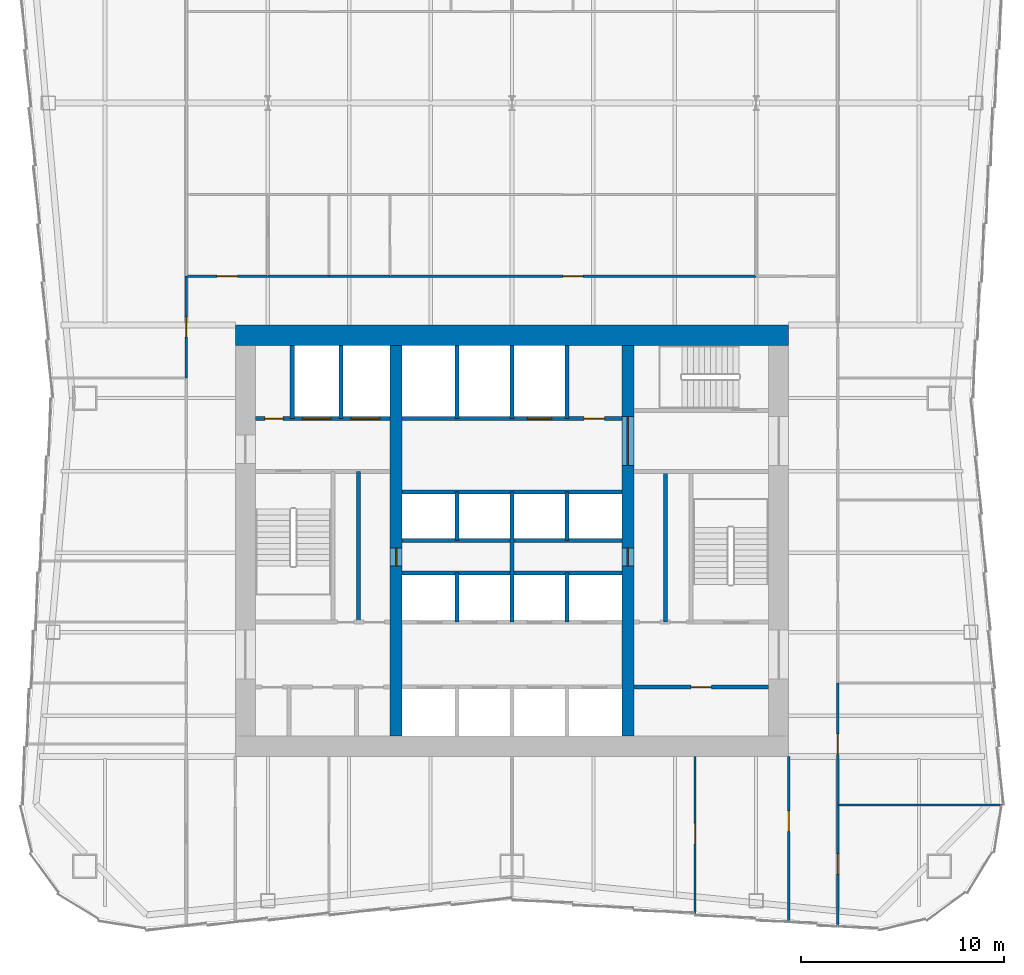
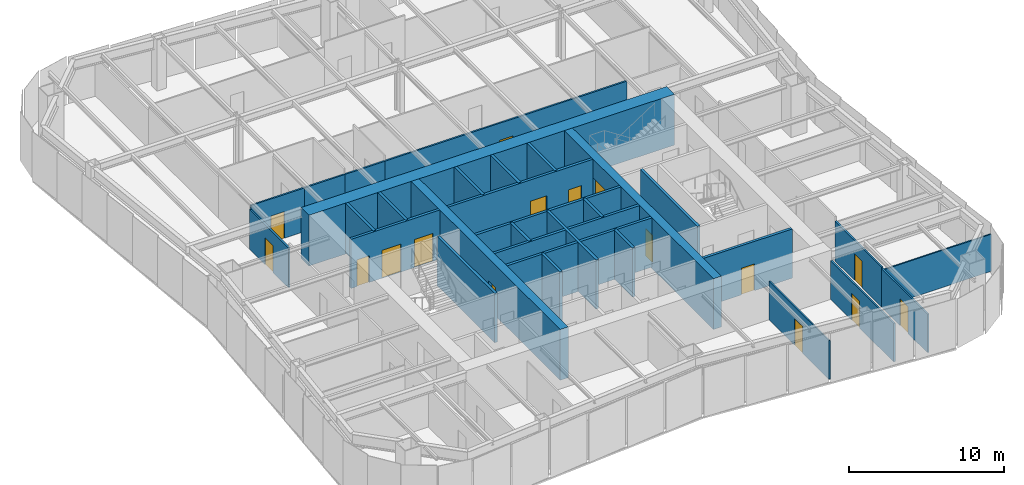
# One storey, part 5 of 8: 31 walls, 16 doors, 16 openings.
"""IFC4 building model written with IfcOpenShell, lengths in metres."""

import ifcopenshell
import ifcopenshell.guid

model = None  # the IFC model being written
_history = None  # IfcOwnerHistory: only IFC2X3 demands one
_inside = {}  # id of a spatial element -> (the spatial element, [elements in it])
_under = {}  # id of a project, library or spatial element -> (it, [spatial elements below it])
_declared = {}  # id of a project -> (the project, [libraries it declares])
_typed = {}  # id of a type object -> (the type object, [elements of that type])
_made_of = {}  # id of a material, layer set ... -> (it, [elements and type objects made of it])


def new_model(schema):
    """Start an empty IFC model of exactly this schema.

    Asked for "IFC4X3", IfcOpenShell would pick the latest addendum, in which some entities
    have other attributes; the version numbers below select the first issue.
    IFC2X3 requires an IfcOwnerHistory on every rooted entity: one is made here for all.
    """
    global model, _history
    if schema == "IFC4X3":
        model = ifcopenshell.file(schema_version=(4, 3, 0, 0))
    else:
        model = ifcopenshell.file(schema=schema)
    _inside.clear()
    _under.clear()
    _declared.clear()
    _typed.clear()
    _made_of.clear()
    _history = None
    if model.schema == "IFC2X3":
        org = make("IfcOrganization", Name="unknown")
        user = make(
            "IfcPersonAndOrganization",
            ThePerson=make("IfcPerson", FamilyName="unknown"),
            TheOrganization=org,
        )
        app = make(
            "IfcApplication",
            ApplicationDeveloper=org,
            Version="unknown",
            ApplicationFullName="unknown",
            ApplicationIdentifier="unknown",
        )
        _history = make(
            "IfcOwnerHistory",
            OwningUser=user,
            OwningApplication=app,
            ChangeAction="ADDED",
            CreationDate=0,
        )
    return model


def make(cls, **values):
    """One entity of the class cls with the attributes given. An attribute that is None is left unset."""
    return model.create_entity(
        cls, **{name: value for name, value in values.items() if value is not None}
    )


def rooted(cls, **values):
    """An entity with a GlobalId (a new one), such as an element, a storey or a relation."""
    return make(cls, GlobalId=ifcopenshell.guid.new(), OwnerHistory=_history, **values)


def si_unit(unit_type, name, prefix=None):
    """IfcSIUnit, for example si_unit("LENGTHUNIT", "METRE", prefix="MILLI")."""
    return make("IfcSIUnit", UnitType=unit_type, Prefix=prefix, Name=name)


def assignment(units):
    """IfcUnitAssignment: the units of a project."""
    return None if units is None else make("IfcUnitAssignment", Units=units)


def point(xyz):
    """IfcCartesianPoint."""
    return None if xyz is None else make("IfcCartesianPoint", Coordinates=xyz)


def direction(xyz):
    """IfcDirection."""
    return None if xyz is None else make("IfcDirection", DirectionRatios=xyz)


def frame(location, z_axis=None, x_axis=None):
    """IfcAxis2Placement3D, a coordinate frame: its origin and axes. An axis left out is left unset."""
    return make(
        "IfcAxis2Placement3D",
        Location=point(location),
        Axis=direction(z_axis),
        RefDirection=direction(x_axis),
    )


def frame_2d(location, x_axis=None):
    """IfcAxis2Placement2D, a coordinate frame in the plane: its origin and x axis."""
    return make(
        "IfcAxis2Placement2D", Location=point(location), RefDirection=direction(x_axis)
    )


def origin():
    """The frame at (0, 0, 0) with its axes left unset."""
    return frame((0.0, 0.0, 0.0))


def place(relative_to, where):
    """IfcLocalPlacement: puts the frame where relative to a parent placement (None: the world)."""
    return make(
        "IfcLocalPlacement", PlacementRelTo=relative_to, RelativePlacement=where
    )


def context(
    kind, dimensions, precision=None, world=None, true_north=None, identifier=None
):
    """IfcGeometricRepresentationContext, for example the 3D "Model" context."""
    return make(
        "IfcGeometricRepresentationContext",
        ContextIdentifier=identifier,
        ContextType=kind,
        CoordinateSpaceDimension=dimensions,
        Precision=precision,
        WorldCoordinateSystem=world,
        TrueNorth=true_north,
    )


def subcontext(parent, identifier, kind, view, scale=None):
    """IfcGeometricRepresentationSubContext, for example "Body" below "Model"."""
    return make(
        "IfcGeometricRepresentationSubContext",
        ContextIdentifier=identifier,
        ContextType=kind,
        ParentContext=parent,
        TargetScale=scale,
        TargetView=view,
    )


def project(units=None, contexts=None):
    """IfcProject with its units and contexts."""
    return rooted(
        "IfcProject",
        Name="project",
        RepresentationContexts=contexts,
        UnitsInContext=assignment(units),
    )


def spatial(cls, under=None, at=None, **own):
    """A site, building, storey or space (cls), placed at a placement, below another one or the project."""
    s = rooted(cls, ObjectPlacement=at, **own)
    if under is not None:
        _under.setdefault(under.id(), (under, []))[1].append(s)
    return s


def profile(cls, at=None, kind="AREA", **sizes):
    """A parametric profile (cls). Its sizes go by their IFC names, for example OverallWidth=200.0."""
    return make(cls, ProfileType=kind, Position=at, **sizes)


def rectangle(**sizes):
    """IfcRectangleProfileDef."""
    return profile("IfcRectangleProfileDef", **sizes)


def extrude(swept, where, along, depth):
    """IfcExtrudedAreaSolid: the profile swept, set in the frame where, extruded along a direction by depth."""
    return make(
        "IfcExtrudedAreaSolid",
        SweptArea=swept,
        Position=where,
        ExtrudedDirection=direction(along),
        Depth=depth,
    )


def shape(context_of_items, identifier, shape_type, items):
    """IfcShapeRepresentation: the items that make up one representation, for example the "Body"."""
    return make(
        "IfcShapeRepresentation",
        ContextOfItems=context_of_items,
        RepresentationIdentifier=identifier,
        RepresentationType=shape_type,
        Items=items,
    )


def material(Name=None, Category=None):
    """IfcMaterial."""
    return make("IfcMaterial", Name=Name, Category=Category)


def layer(
    of_material, thickness, ventilated=None, Name=None, Category=None, Priority=None
):
    """IfcMaterialLayer: one layer of a wall or slab, of a material (None: an air gap)."""
    return make(
        "IfcMaterialLayer",
        Material=of_material,
        LayerThickness=thickness,
        IsVentilated=ventilated,
        Name=Name,
        Category=Category,
        Priority=Priority,
    )


def layer_set(layers, Name=None):
    """IfcMaterialLayerSet."""
    return make("IfcMaterialLayerSet", MaterialLayers=layers, LayerSetName=Name)


def made_of(thing, what):
    """Note that an element or type object is made of a material, layer set ...; save() writes the relation."""
    if what is not None:
        _made_of.setdefault(what.id(), (what, []))[1].append(thing)
    return thing


def type_object(cls, material=None, **own):
    """A type object (cls), such as IfcWallType, which elements share."""
    return made_of(rooted(cls, **own), material)


def element(
    cls,
    number,
    at=None,
    inside=None,
    cuts=None,
    type_object=None,
    material=None,
    context=None,
    identifier="Body",
    shape_type=None,
    held_by="IfcProductDefinitionShape",
    body=None,
    shapes=None,
    **own,
):
    """One element of the class cls, such as IfcWall. Its Tag is "e" and its number.

    at: its placement. inside: the storey or other place that contains it. cuts: it is an
    opening in that element (IfcRelVoidsElement). A single representation is given by context,
    identifier, shape_type and body (its items); several are given by shapes. held_by: the class
    of the entity that holds the representations. save() writes the other relations.
    """
    e = rooted(cls, Tag="e%d" % number, ObjectPlacement=at, **own)
    if body is not None:
        shapes = [shape(context, identifier, shape_type, body)]
    if shapes is not None:
        e.Representation = make(held_by, Representations=shapes)
    if inside is not None:
        _inside.setdefault(inside.id(), (inside, []))[1].append(e)
    if cuts is not None:
        rooted(
            "IfcRelVoidsElement", RelatingBuildingElement=cuts, RelatedOpeningElement=e
        )
    if type_object is not None:
        _typed.setdefault(type_object.id(), (type_object, []))[1].append(e)
    return made_of(e, material)


def fill(opening, filler):
    """IfcRelFillsElement: the door or window that sits in an opening."""
    return rooted(
        "IfcRelFillsElement",
        RelatingOpeningElement=opening,
        RelatedBuildingElement=filler,
    )


def aggregate(whole, parts):
    """IfcRelAggregates: a whole, such as a stair, and the parts it consists of."""
    return rooted("IfcRelAggregates", RelatingObject=whole, RelatedObjects=parts)


def save(model, path):
    """Write the relations noted so far, then the file.

    IfcRelAggregates (storeys below a building ...), IfcRelContainedInSpatialStructure (elements
    in a storey), IfcRelDefinesByType, IfcRelAssociatesMaterial and IfcRelDeclares: one each for
    every whole, place, type object, material and project.
    """
    for whole, parts in _under.values():
        aggregate(whole, parts)
    for where, things in _inside.values():
        rooted(
            "IfcRelContainedInSpatialStructure",
            RelatedElements=things,
            RelatingStructure=where,
        )
    for kind, things in _typed.values():
        rooted("IfcRelDefinesByType", RelatedObjects=things, RelatingType=kind)
    for what, things in _made_of.values():
        rooted("IfcRelAssociatesMaterial", RelatedObjects=things, RelatingMaterial=what)
    for by, libraries in _declared.values():
        rooted("IfcRelDeclares", RelatingContext=by, RelatedDefinitions=libraries)
    model.write(path)


model = new_model("IFC4")

# Units and contexts
model_context = context("Model", 3, precision=1e-05, world=origin(), true_north=direction((0.0, 1.0)))
body_context = subcontext(model_context, "Body", "Model", "MODEL_VIEW")
ifc_project = project(units=[si_unit("LENGTHUNIT", "METRE"), si_unit("AREAUNIT", "SQUARE_METRE"), si_unit("VOLUMEUNIT", "CUBIC_METRE"), si_unit("PLANEANGLEUNIT", "RADIAN"), si_unit("MASSUNIT", "GRAM", prefix="KILO")], contexts=[model_context])

# Site, building, storey
site_placement = place(None, origin())
site = spatial("IfcSite", under=ifc_project, at=site_placement, CompositionType="ELEMENT")
building_placement = place(site_placement, origin())
building = spatial("IfcBuilding", under=site, at=building_placement, Name="Verdant Reach Tower", CompositionType="ELEMENT")
storey_placement = place(building_placement, frame((0.0, 0.0, 134.0)))
storey = spatial("IfcBuildingStorey", under=building, at=storey_placement, Name="L30", CompositionType="ELEMENT", Elevation=134.0)

# Wall, opening, door
ifc_material_1 = material(Name="Gypsum board on steel studs", Category="steel")
ifc_layer_1 = layer(ifc_material_1, 0.199951171875)
ifc_layer_set_1 = layer_set([ifc_layer_1], Name="CO-WALL-ROOM")
wall_type_1 = type_object("IfcWallType", Name="CO-WALL-ROOM", PredefinedType="PARTITIONING", material=ifc_layer_set_1)
wall_1_placement = place(storey_placement, frame((6.0, 20.800048828125, 0.0), z_axis=(0.0, 0.0, 1.0), x_axis=(1.0, 0.0, 0.0)))
wall_1 = element("IfcWall", 1, at=wall_1_placement, inside=storey, type_object=wall_type_1, Name="Core partition, L30", PredefinedType="PARTITIONING", context=body_context, shape_type="SweptSolid", body=[
    extrude(rectangle(XDim=6.60009765625, YDim=0.199951171875, at=frame_2d((3.300048828125, 0.0))), origin(), (0.0, 0.0, 1.0), 3.8701171875),
])
opening_1_placement = place(wall_1_placement, frame((2.800048828125, 0.0, 0.0)))
opening_1 = element("IfcOpeningElement", 2, at=opening_1_placement, cuts=wall_1, Name="Opening CD", PredefinedType="OPENING", context=body_context, shape_type="SweptSolid", body=[
    extrude(rectangle(XDim=1.0, YDim=2.10009765625, at=frame_2d((0.5, 1.050048828125))), frame((0.0, 0.10986328125, 0.0), z_axis=(0.0, -1.0, 0.0), x_axis=(1.0, 0.0, 0.0)), (0.0, 0.0, 1.0), 0.219970703125),
])
ifc_material_2 = material(Name="Timber", Category="wood")
door_type_1 = type_object("IfcDoorType", Name="CO-DOOR-ROOM", OperationType="NOTDEFINED", PredefinedType="DOOR", material=ifc_material_2)
door_1_placement = place(opening_1_placement, origin())
door_1 = element("IfcDoor", 3, at=door_1_placement, inside=storey, type_object=door_type_1, Name="Core room door, L30", OperationType="SINGLE_SWING_RIGHT", OverallHeight=2.10009765625, OverallWidth=1.0, PredefinedType="DOOR", context=body_context, shape_type="SweptSolid", body=[
    extrude(rectangle(XDim=1.0, YDim=2.10009765625, at=frame_2d((0.5, 1.050048828125))), frame((0.0, 0.02490234375, 0.0), z_axis=(0.0, -1.0, 0.0), x_axis=(1.0, 0.0, 0.0)), (0.0, 0.0, 1.0), 0.050048828125),
])
fill(opening_1, door_1)

# Walls
for number, where, z_axis, x_axis, name in (
    (4, (-7.5400390625, 24.0, 0.0), (0.0, 0.0, 1.0), (0.0, 1.0, 0.0), "Core partition, L30"),
    (5, (7.5400390625, 24.0, 0.0), (0.0, 0.0, 1.0), (0.0, 1.0, 0.0), "Core partition, L30"),
):
    element("IfcWall", number, at=place(storey_placement, frame(where, z_axis=z_axis, x_axis=x_axis)), inside=storey, type_object=wall_type_1, Name=name, PredefinedType="PARTITIONING", context=body_context, shape_type="SweptSolid", body=[
        extrude(rectangle(XDim=7.39990234375, YDim=0.199951171875, at=frame_2d((3.699951171875, 0.0))), origin(), (0.0, 0.0, 1.0), 3.8701171875),
    ])
ifc_material_3 = material(Name="Concrete C40/50", Category="concrete")
ifc_layer_2 = layer(ifc_material_3, 0.199951171875)
ifc_layer_set_2 = layer_set([ifc_layer_2], Name="CO-WALL-SHAFT")
wall_type_2 = type_object("IfcWallType", Name="CO-WALL-SHAFT", PredefinedType="PARTITIONING", material=ifc_layer_set_2)
for number, where, z_axis, x_axis, name in (
    (6, (-5.39990234375, 26.39990234375, 0.0), (0.0, 0.0, 1.0), (1.0, 0.0, 0.0), "Lift shaft wall, L30"),
    (7, (-5.39990234375, 28.0, 0.0), (0.0, 0.0, 1.0), (1.0, 0.0, 0.0), "Lift shaft wall, L30"),
    (8, (-5.39990234375, 30.39990234375, 0.0), (0.0, 0.0, 1.0), (1.0, 0.0, 0.0), "Lift shaft wall, L30"),
):
    element("IfcWall", number, at=place(storey_placement, frame(where, z_axis=z_axis, x_axis=x_axis)), inside=storey, type_object=wall_type_2, Name=name, PredefinedType="PARTITIONING", context=body_context, shape_type="SweptSolid", body=[
        extrude(rectangle(XDim=10.7998046875, YDim=0.199951171875, at=frame_2d((5.39990234375, 0.0))), origin(), (0.0, 0.0, 1.0), 3.8701171875),
    ])

# Wall, openings, doors
wall_2_placement = place(storey_placement, frame((-12.60009765625, 34.0, 0.0), z_axis=(0.0, 0.0, 1.0), x_axis=(1.0, 0.0, 0.0)))
wall_2 = element("IfcWall", 9, at=wall_2_placement, inside=storey, type_object=wall_type_2, Name="Lift shaft wall, L30", PredefinedType="PARTITIONING", context=body_context, shape_type="SweptSolid", body=[
    extrude(rectangle(XDim=6.60009765625, YDim=0.199951171875, at=frame_2d((3.300048828125, 0.0))), origin(), (0.0, 0.0, 1.0), 3.8701171875),
])
opening_2_placement = place(wall_2_placement, frame((4.699951171875, 0.0, 0.0)))
opening_2 = element("IfcOpeningElement", 10, at=opening_2_placement, cuts=wall_2, Name="Opening LD-F1", PredefinedType="OPENING", context=body_context, shape_type="SweptSolid", body=[
    extrude(rectangle(XDim=1.39990234375, YDim=2.199951171875, at=frame_2d((0.699951171875, 1.10009765625))), frame((0.0, 0.10986328125, 0.0), z_axis=(0.0, -1.0, 0.0), x_axis=(1.0, 0.0, 0.0)), (0.0, 0.0, 1.0), 0.219970703125),
])
opening_3_placement = place(wall_2_placement, frame((2.300048828125, 0.0, 0.0)))
opening_3 = element("IfcOpeningElement", 11, at=opening_3_placement, cuts=wall_2, Name="Opening LD-F2", PredefinedType="OPENING", context=body_context, shape_type="SweptSolid", body=[
    extrude(rectangle(XDim=1.39990234375, YDim=2.199951171875, at=frame_2d((0.699951171875, 1.10009765625))), frame((0.0, 0.10986328125, 0.0), z_axis=(0.0, -1.0, 0.0), x_axis=(1.0, 0.0, 0.0)), (0.0, 0.0, 1.0), 0.219970703125),
])
opening_4_placement = place(wall_2_placement, frame((0.449951171875, 0.0, 0.0)))
opening_4 = element("IfcOpeningElement", 12, at=opening_4_placement, cuts=wall_2, Name="Opening RD", PredefinedType="OPENING", context=body_context, shape_type="SweptSolid", body=[
    extrude(rectangle(XDim=0.89990234375, YDim=2.10009765625, at=frame_2d((0.449951171875, 1.050048828125))), frame((0.0, 0.10986328125, 0.0), z_axis=(0.0, -1.0, 0.0), x_axis=(1.0, 0.0, 0.0)), (0.0, 0.0, 1.0), 0.219970703125),
])
ifc_material_4 = material(Name="Stainless steel", Category="steel")
door_type_2 = type_object("IfcDoorType", Name="CO-DOOR-LANDING-FF", OperationType="SLIDING_TO_LEFT", PredefinedType="DOOR", material=ifc_material_4)
door_2_placement = place(opening_2_placement, origin())
door_2 = element("IfcDoor", 13, at=door_2_placement, inside=storey, type_object=door_type_2, Name="Landing door F1, L30", OperationType="SLIDING_TO_LEFT", OverallHeight=2.199951171875, OverallWidth=1.39990234375, PredefinedType="DOOR", context=body_context, shape_type="SweptSolid", body=[
    extrude(rectangle(XDim=1.39990234375, YDim=2.199951171875, at=frame_2d((0.699951171875, 1.10009765625))), frame((0.0, 0.02490234375, 0.0), z_axis=(0.0, -1.0, 0.0), x_axis=(1.0, 0.0, 0.0)), (0.0, 0.0, 1.0), 0.050048828125),
])
fill(opening_2, door_2)
door_3_placement = place(opening_3_placement, origin())
door_3 = element("IfcDoor", 14, at=door_3_placement, inside=storey, type_object=door_type_2, Name="Landing door F2, L30", OperationType="SLIDING_TO_LEFT", OverallHeight=2.199951171875, OverallWidth=1.39990234375, PredefinedType="DOOR", context=body_context, shape_type="SweptSolid", body=[
    extrude(rectangle(XDim=1.39990234375, YDim=2.199951171875, at=frame_2d((0.699951171875, 1.10009765625))), frame((0.0, 0.02490234375, 0.0), z_axis=(0.0, -1.0, 0.0), x_axis=(1.0, 0.0, 0.0)), (0.0, 0.0, 1.0), 0.050048828125),
])
fill(opening_3, door_3)
ifc_material_5 = material(Name="Steel", Category="steel")
door_type_3 = type_object("IfcDoorType", Name="CO-DOOR-RISER", OperationType="NOTDEFINED", PredefinedType="DOOR", material=ifc_material_5)
door_4_placement = place(opening_4_placement, origin())
door_4 = element("IfcDoor", 15, at=door_4_placement, inside=storey, type_object=door_type_3, Name="Core room door, L30", OperationType="SINGLE_SWING_RIGHT", OverallHeight=2.10009765625, OverallWidth=0.89990234375, PredefinedType="DOOR", context=body_context, shape_type="SweptSolid", body=[
    extrude(rectangle(XDim=0.89990234375, YDim=2.10009765625, at=frame_2d((0.449951171875, 1.050048828125))), frame((0.0, 0.02490234375, 0.0), z_axis=(0.0, -1.0, 0.0), x_axis=(1.0, 0.0, 0.0)), (0.0, 0.0, 1.0), 0.050048828125),
])
fill(opening_4, door_4)

wall_3_placement = place(storey_placement, frame((-5.39990234375, 34.0, 0.0), z_axis=(0.0, 0.0, 1.0), x_axis=(1.0, 0.0, 0.0)))
wall_3 = element("IfcWall", 16, at=wall_3_placement, inside=storey, type_object=wall_type_2, Name="Lift shaft wall, L30", PredefinedType="PARTITIONING", context=body_context, shape_type="SweptSolid", body=[
    extrude(rectangle(XDim=10.7998046875, YDim=0.199951171875, at=frame_2d((5.39990234375, 0.0))), origin(), (0.0, 0.0, 1.0), 3.8701171875),
])
opening_5_placement = place(wall_3_placement, frame((6.14990234375, 0.0, 0.0)))
opening_5 = element("IfcOpeningElement", 17, at=opening_5_placement, cuts=wall_3, Name="Opening LD-SL1", PredefinedType="OPENING", context=body_context, shape_type="SweptSolid", body=[
    extrude(rectangle(XDim=1.199951171875, YDim=2.199951171875, at=frame_2d((0.60009765625, 1.10009765625))), frame((0.0, 0.10986328125, 0.0), z_axis=(0.0, -1.0, 0.0), x_axis=(1.0, 0.0, 0.0)), (0.0, 0.0, 1.0), 0.219970703125),
])
opening_6_placement = place(wall_3_placement, frame((8.949951171875, 0.0, 0.0)))
opening_6 = element("IfcOpeningElement", 18, at=opening_6_placement, cuts=wall_3, Name="Opening CD", PredefinedType="OPENING", context=body_context, shape_type="SweptSolid", body=[
    extrude(rectangle(XDim=1.0, YDim=2.10009765625, at=frame_2d((0.5, 1.050048828125))), frame((0.0, 0.10986328125, 0.0), z_axis=(0.0, -1.0, 0.0), x_axis=(1.0, 0.0, 0.0)), (0.0, 0.0, 1.0), 0.219970703125),
])
door_type_4 = type_object("IfcDoorType", Name="CO-DOOR-LANDING", OperationType="SLIDING_TO_LEFT", PredefinedType="DOOR", material=ifc_material_4)
door_5_placement = place(opening_5_placement, origin())
door_5 = element("IfcDoor", 19, at=door_5_placement, inside=storey, type_object=door_type_4, Name="Landing door SL1, L30", OperationType="SLIDING_TO_LEFT", OverallHeight=2.199951171875, OverallWidth=1.199951171875, PredefinedType="DOOR", context=body_context, shape_type="SweptSolid", body=[
    extrude(rectangle(XDim=1.199951171875, YDim=2.199951171875, at=frame_2d((0.60009765625, 1.10009765625))), frame((0.0, 0.02490234375, 0.0), z_axis=(0.0, -1.0, 0.0), x_axis=(1.0, 0.0, 0.0)), (0.0, 0.0, 1.0), 0.050048828125),
])
fill(opening_5, door_5)
door_6_placement = place(opening_6_placement, origin())
door_6 = element("IfcDoor", 20, at=door_6_placement, inside=storey, type_object=door_type_1, Name="Core room door, L30", OperationType="SINGLE_SWING_LEFT", OverallHeight=2.10009765625, OverallWidth=1.0, PredefinedType="DOOR", context=body_context, shape_type="SweptSolid", body=[
    extrude(rectangle(XDim=1.0, YDim=2.10009765625, at=frame_2d((0.5, 1.050048828125))), frame((0.0, 0.02490234375, 0.0), z_axis=(0.0, -1.0, 0.0), x_axis=(1.0, 0.0, 0.0)), (0.0, 0.0, 1.0), 0.050048828125),
])
fill(opening_6, door_6)

# Walls
for number, where, z_axis, x_axis, name in (
    (21, (-10.800048828125, 34.0, 0.0), (0.0, 0.0, 1.0), (0.0, 1.0, 0.0), "Lift shaft wall, L30"),
    (22, (-8.39990234375, 34.0, 0.0), (0.0, 0.0, 1.0), (0.0, 1.0, 0.0), "Lift shaft wall, L30"),
):
    element("IfcWall", number, at=place(storey_placement, frame(where, z_axis=z_axis, x_axis=x_axis)), inside=storey, type_object=wall_type_2, Name=name, PredefinedType="PARTITIONING", context=body_context, shape_type="SweptSolid", body=[
        extrude(rectangle(XDim=3.60009765625, YDim=0.199951171875, at=frame_2d((1.800048828125, 0.0))), origin(), (0.0, 0.0, 1.0), 3.8701171875),
    ])
for number, where, z_axis, x_axis, name in (
    (23, (-2.699951171875, 24.0, 0.0), (0.0, 0.0, 1.0), (0.0, 1.0, 0.0), "Lift shaft wall, L30"),
    (24, (-2.699951171875, 28.0, 0.0), (0.0, 0.0, 1.0), (0.0, 1.0, 0.0), "Lift shaft wall, L30"),
):
    element("IfcWall", number, at=place(storey_placement, frame(where, z_axis=z_axis, x_axis=x_axis)), inside=storey, type_object=wall_type_2, Name=name, PredefinedType="PARTITIONING", context=body_context, shape_type="SweptSolid", body=[
        extrude(rectangle(XDim=2.39990234375, YDim=0.199951171875, at=frame_2d((1.199951171875, 0.0))), origin(), (0.0, 0.0, 1.0), 3.8701171875),
    ])
wall_4_placement = place(storey_placement, frame((-2.699951171875, 34.0, 0.0), z_axis=(0.0, 0.0, 1.0), x_axis=(0.0, 1.0, 0.0)))
element("IfcWall", 25, at=wall_4_placement, inside=storey, type_object=wall_type_2, Name="Lift shaft wall, L30", PredefinedType="PARTITIONING", context=body_context, shape_type="SweptSolid", body=[
    extrude(rectangle(XDim=3.60009765625, YDim=0.199951171875, at=frame_2d((1.800048828125, 0.0))), origin(), (0.0, 0.0, 1.0), 3.8701171875),
])
wall_5_placement = place(storey_placement, frame((0.0, 24.0, 0.0), z_axis=(0.0, 0.0, 1.0), x_axis=(0.0, 1.0, 0.0)))
element("IfcWall", 26, at=wall_5_placement, inside=storey, type_object=wall_type_2, Name="Lift shaft wall, L30", PredefinedType="PARTITIONING", context=body_context, shape_type="SweptSolid", body=[
    extrude(rectangle(XDim=6.39990234375, YDim=0.199951171875, at=frame_2d((3.199951171875, 0.0))), origin(), (0.0, 0.0, 1.0), 3.8701171875),
])
wall_6_placement = place(storey_placement, frame((0.0, 34.0, 0.0), z_axis=(0.0, 0.0, 1.0), x_axis=(0.0, 1.0, 0.0)))
element("IfcWall", 27, at=wall_6_placement, inside=storey, type_object=wall_type_2, Name="Lift shaft wall, L30", PredefinedType="PARTITIONING", context=body_context, shape_type="SweptSolid", body=[
    extrude(rectangle(XDim=3.60009765625, YDim=0.199951171875, at=frame_2d((1.800048828125, 0.0))), origin(), (0.0, 0.0, 1.0), 3.8701171875),
])
for number, where, z_axis, x_axis, name in (
    (28, (2.699951171875, 24.0, 0.0), (0.0, 0.0, 1.0), (0.0, 1.0, 0.0), "Lift shaft wall, L30"),
    (29, (2.699951171875, 28.0, 0.0), (0.0, 0.0, 1.0), (0.0, 1.0, 0.0), "Lift shaft wall, L30"),
):
    element("IfcWall", number, at=place(storey_placement, frame(where, z_axis=z_axis, x_axis=x_axis)), inside=storey, type_object=wall_type_2, Name=name, PredefinedType="PARTITIONING", context=body_context, shape_type="SweptSolid", body=[
        extrude(rectangle(XDim=2.39990234375, YDim=0.199951171875, at=frame_2d((1.199951171875, 0.0))), origin(), (0.0, 0.0, 1.0), 3.8701171875),
    ])
wall_7_placement = place(storey_placement, frame((2.699951171875, 34.0, 0.0), z_axis=(0.0, 0.0, 1.0), x_axis=(0.0, 1.0, 0.0)))
element("IfcWall", 30, at=wall_7_placement, inside=storey, type_object=wall_type_2, Name="Lift shaft wall, L30", PredefinedType="PARTITIONING", context=body_context, shape_type="SweptSolid", body=[
    extrude(rectangle(XDim=3.60009765625, YDim=0.199951171875, at=frame_2d((1.800048828125, 0.0))), origin(), (0.0, 0.0, 1.0), 3.8701171875),
])
ifc_layer_3 = layer(ifc_material_1, 0.10009765625)
ifc_layer_set_3 = layer_set([ifc_layer_3], Name="FL-W1 Partition 100")
wall_type_3 = type_object("IfcWallType", Name="FL-W1 Partition 100", PredefinedType="PARTITIONING", material=ifc_layer_set_3)
wall_8_placement = place(storey_placement, frame((24.080078125, 15.0, 0.0), z_axis=(0.0, 0.0, 1.0), x_axis=(-1.0, 0.0, 0.0)))
element("IfcWall", 31, at=wall_8_placement, inside=storey, type_object=wall_type_3, Name="Partition 30.27", PredefinedType="PARTITIONING", context=body_context, shape_type="SweptSolid", body=[
    extrude(rectangle(XDim=8.080078125, YDim=0.10009765625, at=frame_2d((4.0400390625, 0.0))), origin(), (0.0, 0.0, 1.0), 2.929931640625),
])

# Wall, opening, door
wall_9_placement = place(storey_placement, frame((9.0, 9.669921875, 0.0), z_axis=(0.0, 0.0, 1.0), x_axis=(0.0, 1.0, 0.0)))
wall_9 = element("IfcWall", 32, at=wall_9_placement, inside=storey, type_object=wall_type_3, Name="Partition 30.36", PredefinedType="PARTITIONING", context=body_context, shape_type="SweptSolid", body=[
    extrude(rectangle(XDim=7.72998046875, YDim=0.10009765625, at=frame_2d((3.864990234375, 0.0))), origin(), (0.0, 0.0, 1.0), 3.0400390625),
])
opening_7_placement = place(wall_9_placement, frame((3.43017578125, 0.0, 0.0)))
opening_7 = element("IfcOpeningElement", 33, at=opening_7_placement, cuts=wall_9, Name="Opening D3", PredefinedType="OPENING", context=body_context, shape_type="SweptSolid", body=[
    extrude(rectangle(XDim=1.0, YDim=2.10009765625, at=frame_2d((0.5, 1.050048828125))), frame((0.0, 0.06005859375, 0.0), z_axis=(0.0, -1.0, 0.0), x_axis=(1.0, 0.0, 0.0)), (0.0, 0.0, 1.0), 0.1201171875),
])
ifc_material_6 = material(Name="Painted timber door leaf", Category="wood")
door_type_5 = type_object("IfcDoorType", Name="FL-D3 Door 1000x2100", OperationType="NOTDEFINED", PredefinedType="DOOR", material=ifc_material_6)
door_7_placement = place(opening_7_placement, origin())
door_7 = element("IfcDoor", 34, at=door_7_placement, inside=storey, type_object=door_type_5, Name="Door 30-018", OperationType="SINGLE_SWING_RIGHT", OverallHeight=2.10009765625, OverallWidth=1.0, PredefinedType="DOOR", context=body_context, shape_type="SweptSolid", body=[
    extrude(rectangle(XDim=1.0, YDim=2.10009765625, at=frame_2d((0.5, 1.050048828125))), frame((0.0, 0.02490234375, 0.0), z_axis=(0.0, -1.0, 0.0), x_axis=(1.0, 0.0, 0.0)), (0.0, 0.0, 1.0), 0.050048828125),
])
fill(opening_7, door_7)

ifc_material_7 = material(Name="Gypsum board on steel studs, fire rated", Category="steel")
ifc_layer_4 = layer(ifc_material_7, 0.125)
ifc_layer_set_4 = layer_set([ifc_layer_4], Name="FL-W2 Corridor wall 125")
wall_type_4 = type_object("IfcWallType", Name="FL-W2 Corridor wall 125", PredefinedType="PARTITIONING", material=ifc_layer_set_4)
wall_10_placement = place(storey_placement, frame((-16.0, 36.0, 0.0), z_axis=(0.0, 0.0, 1.0), x_axis=(0.0, 1.0, 0.0)))
wall_10 = element("IfcWall", 35, at=wall_10_placement, inside=storey, type_object=wall_type_4, Name="Partition 30.06", PredefinedType="PARTITIONING", context=body_context, shape_type="SweptSolid", body=[
    extrude(rectangle(XDim=5.00390625, YDim=0.125, at=frame_2d((2.501953125, 0.0))), origin(), (0.0, 0.0, 1.0), 3.139892578125),
])
opening_8_placement = place(wall_10_placement, frame((2.001953125, 0.0, 0.0)))
opening_8 = element("IfcOpeningElement", 36, at=opening_8_placement, cuts=wall_10, Name="Opening D2", PredefinedType="OPENING", context=body_context, shape_type="SweptSolid", body=[
    extrude(rectangle(XDim=1.0, YDim=2.10009765625, at=frame_2d((0.5, 1.050048828125))), frame((0.0, 0.072509765625, 0.0), z_axis=(0.0, -1.0, 0.0), x_axis=(1.0, 0.0, 0.0)), (0.0, 0.0, 1.0), 0.14501953125),
])
ifc_material_8 = material(Name="Timber door leaf, fire rated", Category="wood")
door_type_6 = type_object("IfcDoorType", Name="FL-D2 Entrance door 1000x2100 FD30", OperationType="NOTDEFINED", PredefinedType="DOOR", material=ifc_material_8)
door_8_placement = place(opening_8_placement, origin())
door_8 = element("IfcDoor", 37, at=door_8_placement, inside=storey, type_object=door_type_6, Name="Door 30-006", OperationType="SINGLE_SWING_RIGHT", OverallHeight=2.10009765625, OverallWidth=1.0, PredefinedType="DOOR", context=body_context, shape_type="SweptSolid", body=[
    extrude(rectangle(XDim=1.0, YDim=2.10009765625, at=frame_2d((0.5, 1.050048828125))), frame((0.0, 0.02490234375, 0.0), z_axis=(0.0, -1.0, 0.0), x_axis=(1.0, 0.0, 0.0)), (0.0, 0.0, 1.0), 0.050048828125),
])
fill(opening_8, door_8)

wall_11_placement = place(storey_placement, frame((16.0, 15.0, 0.0), z_axis=(0.0, 0.0, 1.0), x_axis=(0.0, -1.0, 0.0)))
wall_11 = element("IfcWall", 38, at=wall_11_placement, inside=storey, type_object=wall_type_4, Name="Partition 30.07", PredefinedType="PARTITIONING", context=body_context, shape_type="SweptSolid", body=[
    extrude(rectangle(XDim=5.913330078125, YDim=0.125, at=frame_2d((2.95654296875, 0.0))), origin(), (0.0, 0.0, 1.0), 3.0400390625),
])
opening_9_placement = place(wall_11_placement, frame((2.3916015625, 0.0, 0.0)))
opening_9 = element("IfcOpeningElement", 39, at=opening_9_placement, cuts=wall_11, Name="Opening D2", PredefinedType="OPENING", context=body_context, shape_type="SweptSolid", body=[
    extrude(rectangle(XDim=1.0, YDim=2.10009765625, at=frame_2d((0.5, 1.050048828125))), frame((0.0, 0.072509765625, 0.0), z_axis=(0.0, -1.0, 0.0), x_axis=(1.0, 0.0, 0.0)), (0.0, 0.0, 1.0), 0.14501953125),
])
door_9_placement = place(opening_9_placement, origin())
door_9 = element("IfcDoor", 40, at=door_9_placement, inside=storey, type_object=door_type_6, Name="Door 30-007", OperationType="SINGLE_SWING_LEFT", OverallHeight=2.10009765625, OverallWidth=1.0, PredefinedType="DOOR", context=body_context, shape_type="SweptSolid", body=[
    extrude(rectangle(XDim=1.0, YDim=2.10009765625, at=frame_2d((0.5, 1.050048828125))), frame((0.0, 0.02490234375, 0.0), z_axis=(0.0, -1.0, 0.0), x_axis=(1.0, 0.0, 0.0)), (0.0, 0.0, 1.0), 0.050048828125),
])
fill(opening_9, door_9)

wall_12_placement = place(storey_placement, frame((16.0, 21.0, 0.0), z_axis=(0.0, 0.0, 1.0), x_axis=(0.0, -1.0, 0.0)))
wall_12 = element("IfcWall", 41, at=wall_12_placement, inside=storey, type_object=wall_type_4, Name="Partition 30.08", PredefinedType="PARTITIONING", context=body_context, shape_type="SweptSolid", body=[
    extrude(rectangle(XDim=6.0, YDim=0.125, at=frame_2d((3.0, 0.0))), origin(), (0.0, 0.0, 1.0), 3.139892578125),
])
opening_10_placement = place(wall_12_placement, frame((2.5, 0.0, 0.0)))
opening_10 = element("IfcOpeningElement", 42, at=opening_10_placement, cuts=wall_12, Name="Opening D2", PredefinedType="OPENING", context=body_context, shape_type="SweptSolid", body=[
    extrude(rectangle(XDim=1.0, YDim=2.10009765625, at=frame_2d((0.5, 1.050048828125))), frame((0.0, 0.072509765625, 0.0), z_axis=(0.0, -1.0, 0.0), x_axis=(1.0, 0.0, 0.0)), (0.0, 0.0, 1.0), 0.14501953125),
])
door_10_placement = place(opening_10_placement, origin())
door_10 = element("IfcDoor", 43, at=door_10_placement, inside=storey, type_object=door_type_6, Name="Door 30-008", OperationType="SINGLE_SWING_RIGHT", OverallHeight=2.10009765625, OverallWidth=1.0, PredefinedType="DOOR", context=body_context, shape_type="SweptSolid", body=[
    extrude(rectangle(XDim=1.0, YDim=2.10009765625, at=frame_2d((0.5, 1.050048828125))), frame((0.0, 0.02490234375, 0.0), z_axis=(0.0, -1.0, 0.0), x_axis=(1.0, 0.0, 0.0)), (0.0, 0.0, 1.0), 0.050048828125),
])
fill(opening_10, door_10)

wall_13_placement = place(storey_placement, frame((13.60009765625, 9.28662109375, 0.0), z_axis=(0.0, 0.0, 1.0), x_axis=(0.0, 1.0, 0.0)))
wall_13 = element("IfcWall", 44, at=wall_13_placement, inside=storey, type_object=wall_type_4, Name="Partition 30.13", PredefinedType="PARTITIONING", context=body_context, shape_type="SweptSolid", body=[
    extrude(rectangle(XDim=8.11328125, YDim=0.125, at=frame_2d((4.056640625, 0.0))), origin(), (0.0, 0.0, 1.0), 3.0400390625),
])
opening_11_placement = place(wall_13_placement, frame((4.421875, 0.0, 0.0)))
opening_11 = element("IfcOpeningElement", 45, at=opening_11_placement, cuts=wall_13, Name="Opening D2", PredefinedType="OPENING", context=body_context, shape_type="SweptSolid", body=[
    extrude(rectangle(XDim=1.0, YDim=2.10009765625, at=frame_2d((0.5, 1.050048828125))), frame((0.0, 0.072509765625, 0.0), z_axis=(0.0, -1.0, 0.0), x_axis=(1.0, 0.0, 0.0)), (0.0, 0.0, 1.0), 0.14501953125),
])
door_11_placement = place(opening_11_placement, origin())
door_11 = element("IfcDoor", 46, at=door_11_placement, inside=storey, type_object=door_type_6, Name="Door 30-013", OperationType="SINGLE_SWING_RIGHT", OverallHeight=2.10009765625, OverallWidth=1.0, PredefinedType="DOOR", context=body_context, shape_type="SweptSolid", body=[
    extrude(rectangle(XDim=1.0, YDim=2.10009765625, at=frame_2d((0.5, 1.050048828125))), frame((0.0, 0.02490234375, 0.0), z_axis=(0.0, -1.0, 0.0), x_axis=(1.0, 0.0, 0.0)), (0.0, 0.0, 1.0), 0.050048828125),
])
fill(opening_11, door_11)

wall_14_placement = place(storey_placement, frame((-16.0, 41.0, 0.0), z_axis=(0.0, 0.0, 1.0), x_axis=(1.0, 0.0, 0.0)))
wall_14 = element("IfcWall", 47, at=wall_14_placement, inside=storey, type_object=wall_type_4, Name="Partition 30.14", PredefinedType="PARTITIONING", context=body_context, shape_type="SweptSolid", body=[
    extrude(rectangle(XDim=4.0, YDim=0.125, at=frame_2d((2.0, 0.0))), origin(), (0.0, 0.0, 1.0), 3.43994140625),
])
opening_12_placement = place(wall_14_placement, frame((1.5, 0.0, 0.0)))
opening_12 = element("IfcOpeningElement", 48, at=opening_12_placement, cuts=wall_14, Name="Opening D2", PredefinedType="OPENING", context=body_context, shape_type="SweptSolid", body=[
    extrude(rectangle(XDim=1.0, YDim=2.10009765625, at=frame_2d((0.5, 1.050048828125))), frame((0.0, 0.072509765625, 0.0), z_axis=(0.0, -1.0, 0.0), x_axis=(1.0, 0.0, 0.0)), (0.0, 0.0, 1.0), 0.14501953125),
])
door_12_placement = place(opening_12_placement, origin())
door_12 = element("IfcDoor", 49, at=door_12_placement, inside=storey, type_object=door_type_6, Name="Door 30-014", OperationType="SINGLE_SWING_RIGHT", OverallHeight=2.10009765625, OverallWidth=1.0, PredefinedType="DOOR", context=body_context, shape_type="SweptSolid", body=[
    extrude(rectangle(XDim=1.0, YDim=2.10009765625, at=frame_2d((0.5, 1.050048828125))), frame((0.0, 0.02490234375, 0.0), z_axis=(0.0, -1.0, 0.0), x_axis=(1.0, 0.0, 0.0)), (0.0, 0.0, 1.0), 0.050048828125),
])
fill(opening_12, door_12)

# Walls
for number, where, z_axis, x_axis, name in (
    (50, (-9.0, 41.0, 0.0), (0.0, 0.0, 1.0), (-1.0, 0.0, 0.0), "Partition 30.15"),
    (51, (-6.0, 41.0, 0.0), (0.0, 0.0, 1.0), (-1.0, 0.0, 0.0), "Partition 30.16"),
):
    element("IfcWall", number, at=place(storey_placement, frame(where, z_axis=z_axis, x_axis=x_axis)), inside=storey, type_object=wall_type_4, Name=name, PredefinedType="PARTITIONING", context=body_context, shape_type="SweptSolid", body=[
        extrude(rectangle(XDim=3.0, YDim=0.125, at=frame_2d((1.5, 0.0))), origin(), (0.0, 0.0, 1.0), 3.43994140625),
    ])

# Wall, opening, door
wall_15_placement = place(storey_placement, frame((-6.0, 41.0, 0.0), z_axis=(0.0, 0.0, 1.0), x_axis=(1.0, 0.0, 0.0)))
wall_15 = element("IfcWall", 52, at=wall_15_placement, inside=storey, type_object=wall_type_4, Name="Partition 30.17", PredefinedType="PARTITIONING", context=body_context, shape_type="SweptSolid", body=[
    extrude(rectangle(XDim=18.0, YDim=0.125, at=frame_2d((9.0, 0.0))), origin(), (0.0, 0.0, 1.0), 3.43994140625),
])
opening_13_placement = place(wall_15_placement, frame((8.5, 0.0, 0.0)))
opening_13 = element("IfcOpeningElement", 53, at=opening_13_placement, cuts=wall_15, Name="Opening D2", PredefinedType="OPENING", context=body_context, shape_type="SweptSolid", body=[
    extrude(rectangle(XDim=1.0, YDim=2.10009765625, at=frame_2d((0.5, 1.050048828125))), frame((0.0, 0.072509765625, 0.0), z_axis=(0.0, -1.0, 0.0), x_axis=(1.0, 0.0, 0.0)), (0.0, 0.0, 1.0), 0.14501953125),
])
door_13_placement = place(opening_13_placement, origin())
door_13 = element("IfcDoor", 54, at=door_13_placement, inside=storey, type_object=door_type_6, Name="Door 30-015", OperationType="SINGLE_SWING_LEFT", OverallHeight=2.10009765625, OverallWidth=1.0, PredefinedType="DOOR", context=body_context, shape_type="SweptSolid", body=[
    extrude(rectangle(XDim=1.0, YDim=2.10009765625, at=frame_2d((0.5, 1.050048828125))), frame((0.0, 0.02490234375, 0.0), z_axis=(0.0, -1.0, 0.0), x_axis=(1.0, 0.0, 0.0)), (0.0, 0.0, 1.0), 0.050048828125),
])
fill(opening_13, door_13)

# Wall
ifc_material_9 = material(Name="Concrete C70/85", Category="concrete")
ifc_layer_5 = layer(ifc_material_9, 1.0)
ifc_layer_set_5 = layer_set([ifc_layer_5], Name="ST-CORE-WALL-1000")
wall_type_5 = type_object("IfcWallType", Name="ST-CORE-WALL-1000", PredefinedType="SHEAR", material=ifc_layer_set_5)
wall_16_placement = place(storey_placement, frame((-13.60009765625, 38.10009765625, -0.1298828125), z_axis=(0.0, 0.0, 1.0), x_axis=(1.0, 0.0, 0.0)))
element("IfcWall", 55, at=wall_16_placement, inside=storey, type_object=wall_type_5, Name="Core wall N, L30", PredefinedType="SHEAR", context=body_context, shape_type="SweptSolid", body=[
    extrude(rectangle(XDim=27.2001953125, YDim=1.0, at=frame_2d((13.60009765625, 0.0))), origin(), (0.0, 0.0, 1.0), 4.0),
])

# Wall, opening, door
ifc_layer_6 = layer(ifc_material_9, 0.60009765625)
ifc_layer_set_6 = layer_set([ifc_layer_6], Name="ST-CORE-WALL-600")
wall_type_6 = type_object("IfcWallType", Name="ST-CORE-WALL-600", PredefinedType="SHEAR", material=ifc_layer_set_6)
wall_17_placement = place(storey_placement, frame((-5.699951171875, 18.39990234375, -0.1298828125), z_axis=(0.0, 0.0, 1.0), x_axis=(0.0, 1.0, 0.0)))
wall_17 = element("IfcWall", 56, at=wall_17_placement, inside=storey, type_object=wall_type_6, Name="Core wall XW, L30", PredefinedType="SHEAR", context=body_context, shape_type="SweptSolid", body=[
    extrude(rectangle(XDim=19.2001953125, YDim=0.60009765625, at=frame_2d((9.60009765625, 0.0))), origin(), (0.0, 0.0, 1.0), 4.0),
])
opening_14_placement = place(wall_17_placement, frame((8.35009765625, 0.0, 0.1298828125)))
opening_14 = element("IfcOpeningElement", 57, at=opening_14_placement, cuts=wall_17, Name="Opening RD", PredefinedType="OPENING", context=body_context, shape_type="SweptSolid", body=[
    extrude(rectangle(XDim=0.89990234375, YDim=2.10009765625, at=frame_2d((0.449951171875, 1.050048828125))), frame((0.0, 0.31005859375, 0.0), z_axis=(0.0, -1.0, 0.0), x_axis=(1.0, 0.0, 0.0)), (0.0, 0.0, 1.0), 0.6201171875),
])
door_14_placement = place(opening_14_placement, origin())
door_14 = element("IfcDoor", 58, at=door_14_placement, inside=storey, type_object=door_type_3, Name="Riser door, L30", OperationType="SINGLE_SWING_RIGHT", OverallHeight=2.10009765625, OverallWidth=0.89990234375, PredefinedType="DOOR", context=body_context, shape_type="SweptSolid", body=[
    extrude(rectangle(XDim=0.89990234375, YDim=2.10009765625, at=frame_2d((0.449951171875, 1.050048828125))), frame((0.0, 0.02490234375, 0.0), z_axis=(0.0, -1.0, 0.0), x_axis=(1.0, 0.0, 0.0)), (0.0, 0.0, 1.0), 0.050048828125),
])
fill(opening_14, door_14)

# Wall, openings, doors
wall_18_placement = place(storey_placement, frame((5.699951171875, 18.39990234375, -0.1298828125), z_axis=(0.0, 0.0, 1.0), x_axis=(0.0, 1.0, 0.0)))
wall_18 = element("IfcWall", 59, at=wall_18_placement, inside=storey, type_object=wall_type_6, Name="Core wall XE, L30", PredefinedType="SHEAR", context=body_context, shape_type="SweptSolid", body=[
    extrude(rectangle(XDim=19.2001953125, YDim=0.60009765625, at=frame_2d((9.60009765625, 0.0))), origin(), (0.0, 0.0, 1.0), 4.0),
])
opening_15_placement = place(wall_18_placement, frame((8.35009765625, 0.0, 0.1298828125)))
opening_15 = element("IfcOpeningElement", 60, at=opening_15_placement, cuts=wall_18, Name="Opening RD", PredefinedType="OPENING", context=body_context, shape_type="SweptSolid", body=[
    extrude(rectangle(XDim=0.89990234375, YDim=2.10009765625, at=frame_2d((0.449951171875, 1.050048828125))), frame((0.0, 0.31005859375, 0.0), z_axis=(0.0, -1.0, 0.0), x_axis=(1.0, 0.0, 0.0)), (0.0, 0.0, 1.0), 0.6201171875),
])
opening_16_placement = place(wall_18_placement, frame((13.300048828125, 0.0, 0.1298828125)))
opening_16 = element("IfcOpeningElement", 61, at=opening_16_placement, cuts=wall_18, Name="Opening LB", PredefinedType="OPENING", context=body_context, shape_type="SweptSolid", body=[
    extrude(rectangle(XDim=2.39990234375, YDim=2.39990234375, at=frame_2d((1.199951171875, 1.199951171875))), frame((0.0, 0.31005859375, 0.0), z_axis=(0.0, -1.0, 0.0), x_axis=(1.0, 0.0, 0.0)), (0.0, 0.0, 1.0), 0.6201171875),
])
ifc_material_10 = material(Name="Glass and steel", Category="steel")
door_type_7 = type_object("IfcDoorType", Name="CO-DOOR-LOBBY", OperationType="DOUBLE_DOOR_SINGLE_SWING", PredefinedType="DOOR", material=ifc_material_10)
door_15_placement = place(opening_16_placement, origin())
door_15 = element("IfcDoor", 62, at=door_15_placement, inside=storey, type_object=door_type_7, Name="Core entrance door, L30", OperationType="DOUBLE_DOOR_SINGLE_SWING", OverallHeight=2.39990234375, OverallWidth=2.39990234375, PredefinedType="DOOR", context=body_context, shape_type="SweptSolid", body=[
    extrude(rectangle(XDim=2.39990234375, YDim=2.39990234375, at=frame_2d((1.199951171875, 1.199951171875))), frame((0.0, 0.02490234375, 0.0), z_axis=(0.0, -1.0, 0.0), x_axis=(1.0, 0.0, 0.0)), (0.0, 0.0, 1.0), 0.050048828125),
])
fill(opening_16, door_15)
door_16_placement = place(opening_15_placement, origin())
door_16 = element("IfcDoor", 63, at=door_16_placement, inside=storey, type_object=door_type_3, Name="Riser door, L30", OperationType="SINGLE_SWING_LEFT", OverallHeight=2.10009765625, OverallWidth=0.89990234375, PredefinedType="DOOR", context=body_context, shape_type="SweptSolid", body=[
    extrude(rectangle(XDim=0.89990234375, YDim=2.10009765625, at=frame_2d((0.449951171875, 1.050048828125))), frame((0.0, 0.02490234375, 0.0), z_axis=(0.0, -1.0, 0.0), x_axis=(1.0, 0.0, 0.0)), (0.0, 0.0, 1.0), 0.050048828125),
])
fill(opening_15, door_16)

save(model, "model.ifc")
